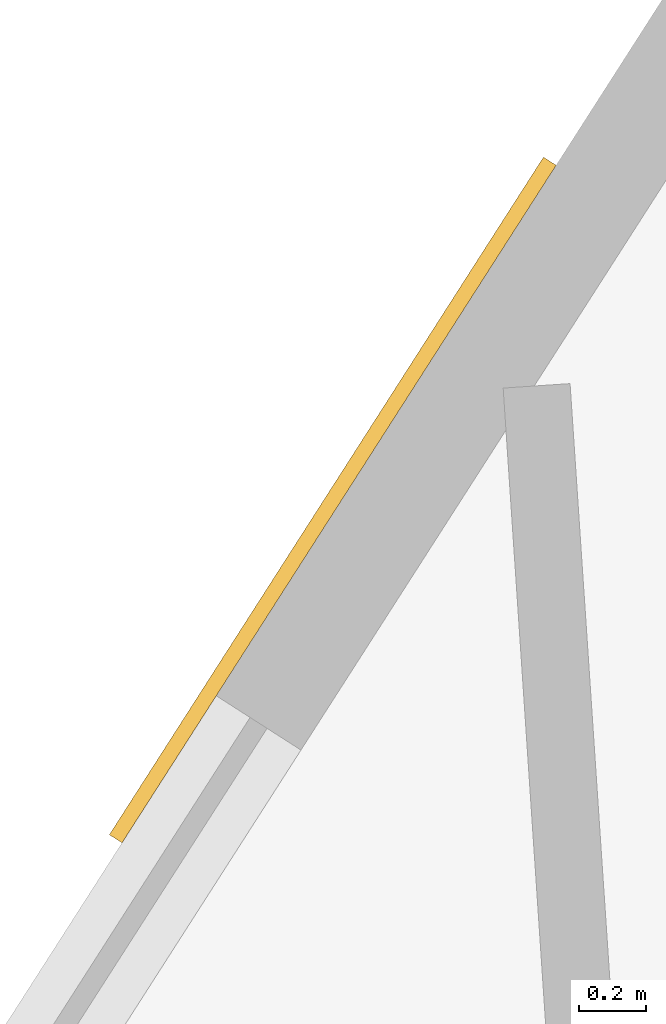
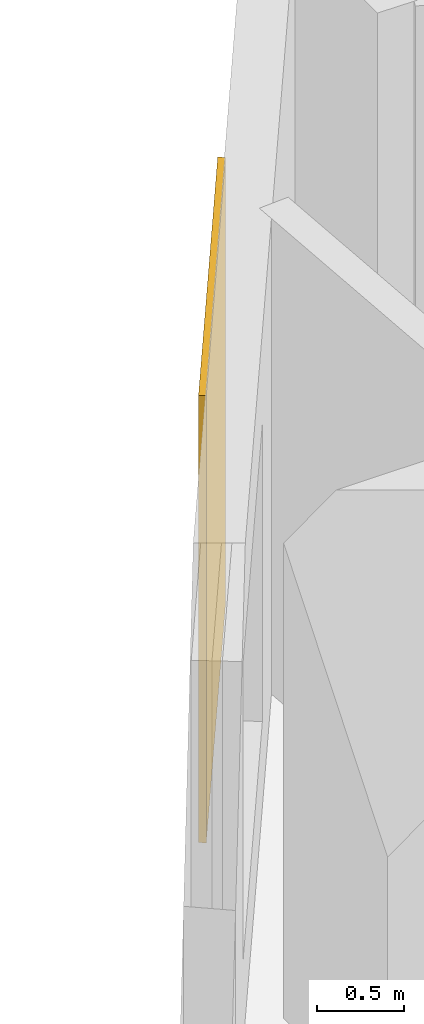
# One storey, part 13 of 13: 1 covering.
"""IFC4 building model written with IfcOpenShell, lengths in metres."""

from ifc_helpers import new_model, si_unit, direction, frame, origin, origin_2d, place, context, subcontext, project, spatial, rectangle, extrude, material, layer, layer_set, type_object, element, save


model = new_model("IFC4")

# Units and contexts
model_context = context("Model", 3, precision=1e-05, world=origin(), true_north=direction((0.0, 1.0)))
body_context = subcontext(model_context, "Body", "Model", "MODEL_VIEW")
ifc_project = project(units=[si_unit("LENGTHUNIT", "METRE"), si_unit("AREAUNIT", "SQUARE_METRE"), si_unit("VOLUMEUNIT", "CUBIC_METRE"), si_unit("PLANEANGLEUNIT", "RADIAN"), si_unit("MASSUNIT", "GRAM", prefix="KILO")], contexts=[model_context])

# Site, building, storey
site_placement = place(None, origin())
site = spatial("IfcSite", under=ifc_project, at=site_placement, CompositionType="ELEMENT")
building_placement = place(site_placement, origin())
building = spatial("IfcBuilding", under=site, at=building_placement, Name="Almagre Mirador Tower", CompositionType="ELEMENT")
storey_placement = place(building_placement, frame((0.0, 0.0, 78.60009765625)))
storey = spatial("IfcBuildingStorey", under=building, at=storey_placement, Name="L19", CompositionType="ELEMENT", Elevation=78.60009765625)

# Covering
ifc_material = material(Name="Almagre terracotta architectural cladding", Category="masonry")
ifc_layer = layer(ifc_material, 0.044921875)
ifc_layer_set = layer_set([ifc_layer], Name="Almagre terracotta architectural cladding")
covering_type = type_object("IfcCoveringType", Name="COV-CLAD-ALMAGRE", PredefinedType="CLADDING", material=ifc_layer_set)
covering_placement = place(storey_placement, frame((31.552001953125, 40.440673828125, 0.099853515625), z_axis=(0.0, 0.0, 1.0), x_axis=(0.539461671362, 0.84201015738, 0.0)))
element("IfcCovering", 1, at=covering_placement, inside=storey, type_object=covering_type, Name="L19 almagre terracotta pier cladding", PredefinedType="CLADDING", context=body_context, shape_type="SweptSolid", body=[
    extrude(rectangle(XDim=2.39990234375, YDim=0.044921875, at=origin_2d()), origin(), (0.0, 0.0, 1.0), 3.14990234375),
])

save(model, "model.ifc")
